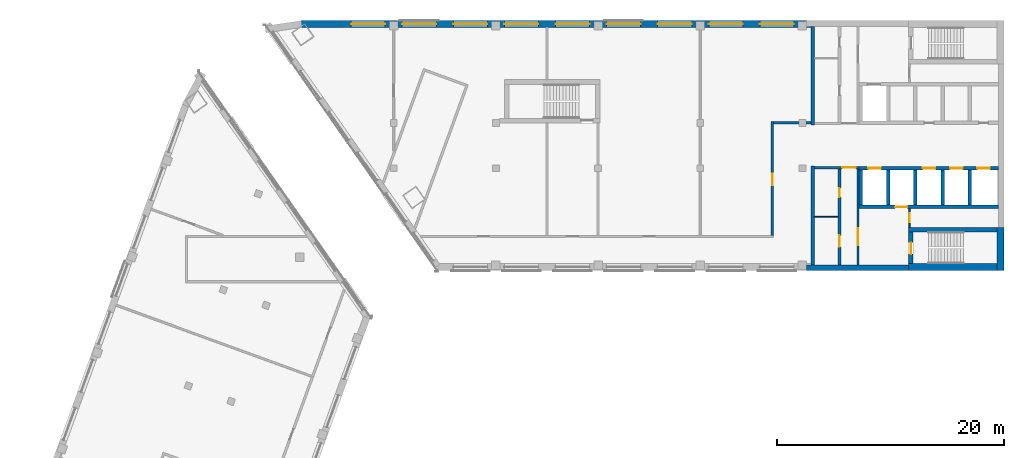
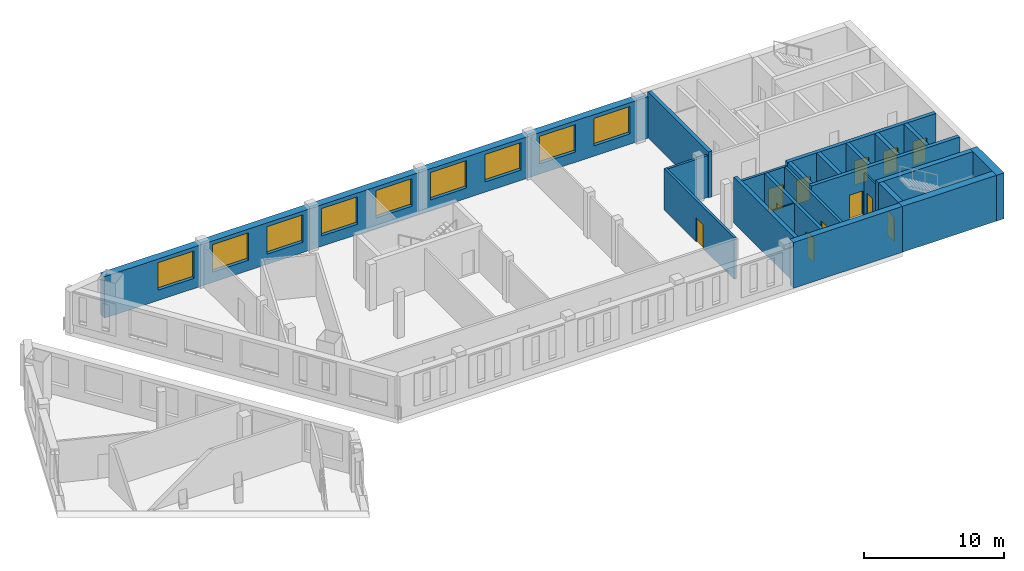
# One storey, part 5 of 8: 22 walls, 12 doors, 9 windows, 21 openings.
"""IFC4 building model written with IfcOpenShell, lengths in metres."""

from ifc_helpers import new_model, si_unit, direction, frame, frame_2d, origin, place, context, subcontext, project, spatial, rectangle, extrude, material, layer, layer_set, type_object, element, fill, save


model = new_model("IFC4")

# Units and contexts
model_context = context("Model", 3, precision=1e-05, world=origin(), true_north=direction((0.0, 1.0)))
body_context = subcontext(model_context, "Body", "Model", "MODEL_VIEW")
ifc_project = project(units=[si_unit("LENGTHUNIT", "METRE"), si_unit("AREAUNIT", "SQUARE_METRE"), si_unit("VOLUMEUNIT", "CUBIC_METRE"), si_unit("PLANEANGLEUNIT", "RADIAN"), si_unit("MASSUNIT", "GRAM", prefix="KILO")], contexts=[model_context])

# Site, building, storey
site_placement = place(None, origin())
site = spatial("IfcSite", under=ifc_project, at=site_placement, CompositionType="ELEMENT")
building_placement = place(site_placement, origin())
building = spatial("IfcBuilding", under=site, at=building_placement, Name="Skarvind Civic Tower", CompositionType="ELEMENT")
storey_placement = place(building_placement, frame((0.0, 0.0, 216.0)))
storey = spatial("IfcBuildingStorey", under=building, at=storey_placement, Name="L51", CompositionType="ELEMENT", Elevation=216.0)

# Wall, opening, door
ifc_material_1 = material(Name="Fire-rated masonry partition", Category="masonry")
ifc_layer_1 = layer(ifc_material_1, 0.199951171875)
ifc_layer_set_1 = layer_set([ifc_layer_1], Name="Core enclosure wall 200")
wall_type_1 = type_object("IfcWallType", Name="Core enclosure wall 200", PredefinedType="PARTITIONING", material=ifc_layer_set_1)
wall_1_placement = place(storey_placement, frame((95.25, 126.050048828125, 0.0), z_axis=(0.0, 0.0, 1.0), x_axis=(-1.0, 0.0, 0.0)))
wall_1 = element("IfcWall", 1, at=wall_1_placement, inside=storey, type_object=wall_type_1, Name="Core wall C1", PredefinedType="PARTITIONING", context=body_context, shape_type="SweptSolid", body=[
    extrude(rectangle(XDim=3.949951171875, YDim=0.199951171875, at=frame_2d((1.97509765625, 0.0))), origin(), (0.0, 0.0, 1.0), 3.625),
])
opening_1_placement = place(wall_1_placement, frame((0.300048828125, 0.0, 0.0)))
opening_1 = element("IfcOpeningElement", 2, at=opening_1_placement, cuts=wall_1, Name="Opening D-L51-C1-07", PredefinedType="OPENING", context=body_context, shape_type="SweptSolid", body=[
    extrude(rectangle(XDim=1.199951171875, YDim=2.10009765625, at=frame_2d((0.60009765625, 1.050048828125))), frame((0.0, 0.10986328125, 0.0), z_axis=(0.0, -1.0, 0.0), x_axis=(1.0, 0.0, 0.0)), (0.0, 0.0, 1.0), 0.219970703125),
])
ifc_material_2 = material(Name="Fire-rated steel door", Category="steel")
door_type_1 = type_object("IfcDoorType", Name="Core lobby door 1200", OperationType="NOTDEFINED", PredefinedType="DOOR", material=ifc_material_2)
door_1_placement = place(opening_1_placement, origin())
door_1 = element("IfcDoor", 3, at=door_1_placement, inside=storey, type_object=door_type_1, Name="Fire door", OperationType="DOUBLE_DOOR_SINGLE_SWING", OverallHeight=2.10009765625, OverallWidth=1.199951171875, PredefinedType="DOOR", context=body_context, shape_type="SweptSolid", body=[
    extrude(rectangle(XDim=1.199951171875, YDim=2.10009765625, at=frame_2d((0.60009765625, 1.050048828125))), frame((0.0, 0.02490234375, 0.0), z_axis=(0.0, -1.0, 0.0), x_axis=(1.0, 0.0, 0.0)), (0.0, 0.0, 1.0), 0.050048828125),
])
fill(opening_1, door_1)

wall_2_placement = place(storey_placement, frame((95.14990234375, 117.5, 0.0), z_axis=(0.0, 0.0, 1.0), x_axis=(0.0, 1.0, 0.0)))
wall_2 = element("IfcWall", 4, at=wall_2_placement, inside=storey, type_object=wall_type_1, Name="Core wall C1", PredefinedType="PARTITIONING", context=body_context, shape_type="SweptSolid", body=[
    extrude(rectangle(XDim=8.449951171875, YDim=0.199951171875, at=frame_2d((4.22509765625, 0.0))), origin(), (0.0, 0.0, 1.0), 3.625),
])
opening_2_placement = place(wall_2_placement, frame((1.72509765625, 0.0, 0.0)))
opening_2 = element("IfcOpeningElement", 5, at=opening_2_placement, cuts=wall_2, Name="Opening D-L51-C1-08", PredefinedType="OPENING", context=body_context, shape_type="SweptSolid", body=[
    extrude(rectangle(XDim=1.5, YDim=2.10009765625, at=frame_2d((0.75, 1.050048828125))), frame((0.0, 0.10986328125, 0.0), z_axis=(0.0, -1.0, 0.0), x_axis=(1.0, 0.0, 0.0)), (0.0, 0.0, 1.0), 0.219970703125),
])
door_type_2 = type_object("IfcDoorType", Name="Fire door 1500", OperationType="NOTDEFINED", PredefinedType="DOOR", material=ifc_material_2)
door_2_placement = place(opening_2_placement, origin())
door_2 = element("IfcDoor", 6, at=door_2_placement, inside=storey, type_object=door_type_2, Name="Fire door", OperationType="DOUBLE_DOOR_SINGLE_SWING", OverallHeight=2.10009765625, OverallWidth=1.5, PredefinedType="DOOR", context=body_context, shape_type="SweptSolid", body=[
    extrude(rectangle(XDim=1.5, YDim=2.10009765625, at=frame_2d((0.75, 1.050048828125))), frame((0.0, 0.02490234375, 0.0), z_axis=(0.0, -1.0, 0.0), x_axis=(1.0, 0.0, 0.0)), (0.0, 0.0, 1.0), 0.050048828125),
])
fill(opening_2, door_2)

# Wall
ifc_material_3 = material(Name="Fire-rated plasterboard partition")
ifc_layer_2 = layer(ifc_material_3, 0.10009765625)
ifc_layer_set_2 = layer_set([ifc_layer_2], Name="Core partition wall 100")
wall_type_2 = type_object("IfcWallType", Name="Core partition wall 100", PredefinedType="PARTITIONING", material=ifc_layer_set_2)
wall_3_placement = place(storey_placement, frame((93.39990234375, 121.719970703125, 0.0), z_axis=(0.0, 0.0, 1.0), x_axis=(-1.0, 0.0, 0.0)))
element("IfcWall", 7, at=wall_3_placement, inside=storey, type_object=wall_type_2, Name="Core wall C1", PredefinedType="PARTITIONING", context=body_context, shape_type="SweptSolid", body=[
    extrude(rectangle(XDim=2.099853515625, YDim=0.10009765625, at=frame_2d((1.0498046875, 0.0))), origin(), (0.0, 0.0, 1.0), 3.625),
])

# Wall, openings, doors
ifc_material_4 = material(Name="Concrete C60", Category="concrete")
ifc_layer_3 = layer(ifc_material_4, 0.300048828125)
ifc_layer_set_3 = layer_set([ifc_layer_3], Name="Core wall 300 C60")
wall_type_3 = type_object("IfcWallType", Name="Core wall 300 C60", PredefinedType="SHEAR", material=ifc_layer_set_3)
wall_4_placement = place(storey_placement, frame((107.5, 126.0, 0.0), z_axis=(0.0, 0.0, 1.0), x_axis=(-1.0, 0.0, 0.0)))
wall_4 = element("IfcWall", 8, at=wall_4_placement, inside=storey, type_object=wall_type_3, Name="Core wall C1 north lift row front L51", PredefinedType="SHEAR", context=body_context, shape_type="SweptSolid", body=[
    extrude(rectangle(XDim=12.25, YDim=0.300048828125, at=frame_2d((6.125, 0.0))), origin(), (0.0, 0.0, 1.0), 4.0),
])
opening_3_placement = place(wall_4_placement, frame((0.75, 0.0, 0.0)))
opening_3 = element("IfcOpeningElement", 9, at=opening_3_placement, cuts=wall_4, Name="Opening LD53101", PredefinedType="OPENING", context=body_context, shape_type="SweptSolid", body=[
    extrude(rectangle(XDim=1.10009765625, YDim=2.10009765625, at=frame_2d((0.550048828125, 1.050048828125))), frame((0.0, 0.159912109375, 0.0), z_axis=(0.0, -1.0, 0.0), x_axis=(1.0, 0.0, 0.0)), (0.0, 0.0, 1.0), 0.320068359375),
])
opening_4_placement = place(wall_4_placement, frame((3.14990234375, 0.0, 0.0)))
opening_4 = element("IfcOpeningElement", 10, at=opening_4_placement, cuts=wall_4, Name="Opening LD53102", PredefinedType="OPENING", context=body_context, shape_type="SweptSolid", body=[
    extrude(rectangle(XDim=1.10009765625, YDim=2.10009765625, at=frame_2d((0.550048828125, 1.050048828125))), frame((0.0, 0.159912109375, 0.0), z_axis=(0.0, -1.0, 0.0), x_axis=(1.0, 0.0, 0.0)), (0.0, 0.0, 1.0), 0.320068359375),
])
opening_5_placement = place(wall_4_placement, frame((5.550048828125, 0.0, 0.0)))
opening_5 = element("IfcOpeningElement", 11, at=opening_5_placement, cuts=wall_4, Name="Opening LD53103", PredefinedType="OPENING", context=body_context, shape_type="SweptSolid", body=[
    extrude(rectangle(XDim=1.10009765625, YDim=2.10009765625, at=frame_2d((0.550048828125, 1.050048828125))), frame((0.0, 0.159912109375, 0.0), z_axis=(0.0, -1.0, 0.0), x_axis=(1.0, 0.0, 0.0)), (0.0, 0.0, 1.0), 0.320068359375),
])
opening_6_placement = place(wall_4_placement, frame((10.35009765625, 0.0, 0.0)))
opening_6 = element("IfcOpeningElement", 12, at=opening_6_placement, cuts=wall_4, Name="Opening LD53105", PredefinedType="OPENING", context=body_context, shape_type="SweptSolid", body=[
    extrude(rectangle(XDim=1.10009765625, YDim=2.10009765625, at=frame_2d((0.550048828125, 1.050048828125))), frame((0.0, 0.159912109375, 0.0), z_axis=(0.0, -1.0, 0.0), x_axis=(1.0, 0.0, 0.0)), (0.0, 0.0, 1.0), 0.320068359375),
])
ifc_material_5 = material(Name="Stainless steel landing door", Category="steel")
door_type_3 = type_object("IfcDoorType", Name="Lift landing door 1100", OperationType="DOUBLE_DOOR_SLIDING", PredefinedType="DOOR", material=ifc_material_5)
door_3_placement = place(opening_3_placement, origin())
door_3 = element("IfcDoor", 13, at=door_3_placement, inside=storey, type_object=door_type_3, Name="Lift landing door", OperationType="DOUBLE_DOOR_SLIDING", OverallHeight=2.10009765625, OverallWidth=1.10009765625, PredefinedType="DOOR", context=body_context, shape_type="SweptSolid", body=[
    extrude(rectangle(XDim=1.10009765625, YDim=2.10009765625, at=frame_2d((0.550048828125, 1.050048828125))), frame((0.0, 0.02490234375, 0.0), z_axis=(0.0, -1.0, 0.0), x_axis=(1.0, 0.0, 0.0)), (0.0, 0.0, 1.0), 0.050048828125),
])
fill(opening_3, door_3)
door_4_placement = place(opening_4_placement, origin())
door_4 = element("IfcDoor", 14, at=door_4_placement, inside=storey, type_object=door_type_3, Name="Lift landing door", OperationType="DOUBLE_DOOR_SLIDING", OverallHeight=2.10009765625, OverallWidth=1.10009765625, PredefinedType="DOOR", context=body_context, shape_type="SweptSolid", body=[
    extrude(rectangle(XDim=1.10009765625, YDim=2.10009765625, at=frame_2d((0.550048828125, 1.050048828125))), frame((0.0, 0.02490234375, 0.0), z_axis=(0.0, -1.0, 0.0), x_axis=(1.0, 0.0, 0.0)), (0.0, 0.0, 1.0), 0.050048828125),
])
fill(opening_4, door_4)
door_5_placement = place(opening_5_placement, origin())
door_5 = element("IfcDoor", 15, at=door_5_placement, inside=storey, type_object=door_type_3, Name="Lift landing door", OperationType="DOUBLE_DOOR_SLIDING", OverallHeight=2.10009765625, OverallWidth=1.10009765625, PredefinedType="DOOR", context=body_context, shape_type="SweptSolid", body=[
    extrude(rectangle(XDim=1.10009765625, YDim=2.10009765625, at=frame_2d((0.550048828125, 1.050048828125))), frame((0.0, 0.02490234375, 0.0), z_axis=(0.0, -1.0, 0.0), x_axis=(1.0, 0.0, 0.0)), (0.0, 0.0, 1.0), 0.050048828125),
])
fill(opening_5, door_5)
door_6_placement = place(opening_6_placement, origin())
door_6 = element("IfcDoor", 16, at=door_6_placement, inside=storey, type_object=door_type_3, Name="Lift landing door", OperationType="DOUBLE_DOOR_SLIDING", OverallHeight=2.10009765625, OverallWidth=1.10009765625, PredefinedType="DOOR", context=body_context, shape_type="SweptSolid", body=[
    extrude(rectangle(XDim=1.10009765625, YDim=2.10009765625, at=frame_2d((0.550048828125, 1.050048828125))), frame((0.0, 0.02490234375, 0.0), z_axis=(0.0, -1.0, 0.0), x_axis=(1.0, 0.0, 0.0)), (0.0, 0.0, 1.0), 0.050048828125),
])
fill(opening_6, door_6)

# Wall, opening, door
wall_5_placement = place(storey_placement, frame((107.5, 122.60009765625, 0.0), z_axis=(0.0, 0.0, 1.0), x_axis=(-1.0, 0.0, 0.0)))
wall_5 = element("IfcWall", 17, at=wall_5_placement, inside=storey, type_object=wall_type_3, Name="Core wall C1 north lift row back L51", PredefinedType="SHEAR", context=body_context, shape_type="SweptSolid", body=[
    extrude(rectangle(XDim=12.25, YDim=0.300048828125, at=frame_2d((6.125, 0.0))), origin(), (0.0, 0.0, 1.0), 4.0),
])
opening_7_placement = place(wall_5_placement, frame((8.0, 0.0, 0.0)))
opening_7 = element("IfcOpeningElement", 18, at=opening_7_placement, cuts=wall_5, Name="Opening LD53104", PredefinedType="OPENING", context=body_context, shape_type="SweptSolid", body=[
    extrude(rectangle(XDim=1.10009765625, YDim=2.10009765625, at=frame_2d((0.550048828125, 1.050048828125))), frame((0.0, 0.159912109375, 0.0), z_axis=(0.0, -1.0, 0.0), x_axis=(1.0, 0.0, 0.0)), (0.0, 0.0, 1.0), 0.320068359375),
])
door_7_placement = place(opening_7_placement, origin())
door_7 = element("IfcDoor", 19, at=door_7_placement, inside=storey, type_object=door_type_3, Name="Lift landing door", OperationType="DOUBLE_DOOR_SLIDING", OverallHeight=2.10009765625, OverallWidth=1.10009765625, PredefinedType="DOOR", context=body_context, shape_type="SweptSolid", body=[
    extrude(rectangle(XDim=1.10009765625, YDim=2.10009765625, at=frame_2d((0.550048828125, 1.050048828125))), frame((0.0, 0.02490234375, 0.0), z_axis=(0.0, -1.0, 0.0), x_axis=(1.0, 0.0, 0.0)), (0.0, 0.0, 1.0), 0.050048828125),
])
fill(opening_7, door_7)

# Walls
for number, where, z_axis, x_axis, name in (
    (20, (105.0, 125.85009765625, 0.0), (0.0, 0.0, 1.0), (0.0, -1.0, 0.0), "Core wall C1 north lift row division 1 L51"),
    (21, (102.60009765625, 125.85009765625, 0.0), (0.0, 0.0, 1.0), (0.0, -1.0, 0.0), "Core wall C1 north lift row division 2 L51"),
    (22, (100.199951171875, 125.85009765625, 0.0), (0.0, 0.0, 1.0), (0.0, -1.0, 0.0), "Core wall C1 north lift row division 3 L51"),
    (23, (97.800048828125, 125.85009765625, 0.0), (0.0, 0.0, 1.0), (0.0, -1.0, 0.0), "Core wall C1 north lift row division 4 L51"),
    (24, (95.39990234375, 125.85009765625, 0.0), (0.0, 0.0, 1.0), (0.0, -1.0, 0.0), "Core wall C1 north lift row division 5 L51"),
):
    element("IfcWall", number, at=place(storey_placement, frame(where, z_axis=z_axis, x_axis=x_axis)), inside=storey, type_object=wall_type_3, Name=name, PredefinedType="SHEAR", context=body_context, shape_type="SweptSolid", body=[
        extrude(rectangle(XDim=3.10009765625, YDim=0.300048828125, at=frame_2d((1.550048828125, 0.0))), origin(), (0.0, 0.0, 1.0), 4.0),
    ])
for number, where, z_axis, x_axis, name in (
    (25, (91.14990234375, 138.5, 0.0), (0.0, 0.0, 1.0), (0.0, -1.0, 0.0), "Core wall C1 south inner face L51"),
    (26, (91.14990234375, 126.199951171875, 0.0), (0.0, 0.0, 1.0), (0.0, -1.0, 0.0), "Core wall C1 north inner face L51"),
):
    element("IfcWall", number, at=place(storey_placement, frame(where, z_axis=z_axis, x_axis=x_axis)), inside=storey, type_object=wall_type_3, Name=name, PredefinedType="SHEAR", context=body_context, shape_type="SweptSolid", body=[
        extrude(rectangle(XDim=8.699951171875, YDim=0.300048828125, at=frame_2d((4.35009765625, 0.0))), origin(), (0.0, 0.0, 1.0), 4.0),
    ])
ifc_layer_4 = layer(ifc_material_4, 0.39990234375)
ifc_layer_set_4 = layer_set([ifc_layer_4], Name="Core wall 400 C60")
wall_type_4 = type_object("IfcWallType", Name="Core wall 400 C60", PredefinedType="SHEAR", material=ifc_layer_set_4)
wall_6_placement = place(storey_placement, frame((107.39990234375, 120.60009765625, 0.0), z_axis=(0.0, 0.0, 1.0), x_axis=(-1.0, 0.0, 0.0)))
element("IfcWall", 27, at=wall_6_placement, inside=storey, type_object=wall_type_4, Name="Core wall C1 north stair inner L51", PredefinedType="SHEAR", context=body_context, shape_type="SweptSolid", body=[
    extrude(rectangle(XDim=7.7998046875, YDim=0.39990234375, at=frame_2d((3.89990234375, 0.0))), origin(), (0.0, 0.0, 1.0), 4.0),
])

# Wall, opening, door
wall_7_placement = place(storey_placement, frame((99.800048828125, 120.39990234375, 0.0), z_axis=(0.0, 0.0, 1.0), x_axis=(0.0, -1.0, 0.0)))
wall_7 = element("IfcWall", 28, at=wall_7_placement, inside=storey, type_object=wall_type_4, Name="Core wall C1 north stair end L51", PredefinedType="SHEAR", context=body_context, shape_type="SweptSolid", body=[
    extrude(rectangle(XDim=2.7998046875, YDim=0.39990234375, at=frame_2d((1.39990234375, 0.0))), origin(), (0.0, 0.0, 1.0), 4.0),
])
opening_8_placement = place(wall_7_placement, frame((0.949951171875, 0.0, 0.0)))
opening_8 = element("IfcOpeningElement", 29, at=opening_8_placement, cuts=wall_7, Name="Opening D-L51-C1-09", PredefinedType="OPENING", context=body_context, shape_type="SweptSolid", body=[
    extrude(rectangle(XDim=1.0, YDim=2.10009765625, at=frame_2d((0.5, 1.050048828125))), frame((0.0, 0.2099609375, 0.0), z_axis=(0.0, -1.0, 0.0), x_axis=(1.0, 0.0, 0.0)), (0.0, 0.0, 1.0), 0.419921875),
])
door_type_4 = type_object("IfcDoorType", Name="Fire door 1000", OperationType="NOTDEFINED", PredefinedType="DOOR", material=ifc_material_2)
door_8_placement = place(opening_8_placement, origin())
door_8 = element("IfcDoor", 30, at=door_8_placement, inside=storey, type_object=door_type_4, Name="Fire door", OperationType="SINGLE_SWING_LEFT", OverallHeight=2.10009765625, OverallWidth=1.0, PredefinedType="DOOR", context=body_context, shape_type="SweptSolid", body=[
    extrude(rectangle(XDim=1.0, YDim=2.10009765625, at=frame_2d((0.5, 1.050048828125))), frame((0.0, 0.02490234375, 0.0), z_axis=(0.0, -1.0, 0.0), x_axis=(1.0, 0.0, 0.0)), (0.0, 0.0, 1.0), 0.050048828125),
])
fill(opening_8, door_8)

# Walls
ifc_layer_5 = layer(ifc_material_4, 0.5)
ifc_layer_set_5 = layer_set([ifc_layer_5], Name="Core wall 500 C60")
wall_type_5 = type_object("IfcWallType", Name="Core wall 500 C60", PredefinedType="SHEAR", material=ifc_layer_set_5)
wall_8_placement = place(storey_placement, frame((99.60009765625, 117.25, 0.0), z_axis=(0.0, 0.0, 1.0), x_axis=(-1.0, 0.0, 0.0)))
element("IfcWall", 31, at=wall_8_placement, inside=storey, type_object=wall_type_5, Name="Core wall C1 north side L51", PredefinedType="SHEAR", context=body_context, shape_type="SweptSolid", body=[
    extrude(rectangle(XDim=8.97509765625, YDim=0.5, at=frame_2d((4.487548828125, 0.0))), origin(), (0.0, 0.0, 1.0), 4.0),
])
ifc_layer_6 = layer(ifc_material_4, 0.60009765625)
ifc_layer_set_6 = layer_set([ifc_layer_6], Name="Core wall 600 C60")
wall_type_6 = type_object("IfcWallType", Name="Core wall 600 C60", PredefinedType="SHEAR", material=ifc_layer_set_6)
wall_9_placement = place(storey_placement, frame((107.699951171875, 120.800048828125, 0.0), z_axis=(0.0, 0.0, 1.0), x_axis=(0.0, -1.0, 0.0)))
element("IfcWall", 32, at=wall_9_placement, inside=storey, type_object=wall_type_6, Name="Core wall C1 tip at the north stair L51", PredefinedType="SHEAR", context=body_context, shape_type="SweptSolid", body=[
    extrude(rectangle(XDim=3.800048828125, YDim=0.60009765625, at=frame_2d((1.89990234375, 0.0))), origin(), (0.0, 0.0, 1.0), 4.0),
])
wall_10_placement = place(storey_placement, frame((107.39990234375, 117.300048828125, 0.0), z_axis=(0.0, 0.0, 1.0), x_axis=(-1.0, 0.0, 0.0)))
element("IfcWall", 33, at=wall_10_placement, inside=storey, type_object=wall_type_6, Name="Core wall C1 north side at the stair L51", PredefinedType="SHEAR", context=body_context, shape_type="SweptSolid", body=[
    extrude(rectangle(XDim=7.7998046875, YDim=0.60009765625, at=frame_2d((3.89990234375, 0.0))), origin(), (0.0, 0.0, 1.0), 4.0),
])

# Wall, opening, door
ifc_material_6 = material(Name="Fire-rated blockwork wall, plastered", Category="masonry")
ifc_layer_7 = layer(ifc_material_6, 0.199951171875)
ifc_layer_set_7 = layer_set([ifc_layer_7], Name="FIRE WALL 200 EI 60")
wall_type_7 = type_object("IfcWallType", Name="FIRE WALL 200 EI 60", PredefinedType="PARTITIONING", material=ifc_layer_set_7)
wall_11_placement = place(storey_placement, frame((87.60009765625, 120.10009765625, 0.0), z_axis=(0.0, 0.0, 1.0), x_axis=(0.0, 1.0, 0.0)))
wall_11 = element("IfcWall", 34, at=wall_11_placement, inside=storey, type_object=wall_type_7, Name="Portal partition L51 019", PredefinedType="PARTITIONING", context=body_context, shape_type="SweptSolid", body=[
    extrude(rectangle(XDim=10.0, YDim=0.199951171875, at=frame_2d((5.0, 0.0))), origin(), (0.0, 0.0, 1.0), 3.625),
])
opening_9_placement = place(wall_11_placement, frame((4.39990234375, 0.0, 0.0)))
opening_9 = element("IfcOpeningElement", 35, at=opening_9_placement, cuts=wall_11, Name="Opening L51-D208", PredefinedType="OPENING", context=body_context, shape_type="SweptSolid", body=[
    extrude(rectangle(XDim=1.0, YDim=2.10009765625, at=frame_2d((0.5, 1.050048828125))), frame((0.0, 0.10986328125, 0.0), z_axis=(0.0, -1.0, 0.0), x_axis=(1.0, 0.0, 0.0)), (0.0, 0.0, 1.0), 0.219970703125),
])
ifc_material_7 = material(Name="Painted steel fire door leaf", Category="steel")
door_type_5 = type_object("IfcDoorType", Name="FIRE DOOR 1000X2100 STEEL", OperationType="NOTDEFINED", PredefinedType="DOOR", material=ifc_material_7)
door_9_placement = place(opening_9_placement, origin())
door_9 = element("IfcDoor", 36, at=door_9_placement, inside=storey, type_object=door_type_5, Name="FIRE DOOR", OperationType="SINGLE_SWING_LEFT", OverallHeight=2.10009765625, OverallWidth=1.0, PredefinedType="DOOR", context=body_context, shape_type="SweptSolid", body=[
    extrude(rectangle(XDim=1.0, YDim=2.10009765625, at=frame_2d((0.5, 1.050048828125))), frame((0.0, 0.02490234375, 0.0), z_axis=(0.0, -1.0, 0.0), x_axis=(1.0, 0.0, 0.0)), (0.0, 0.0, 1.0), 0.050048828125),
])
fill(opening_9, door_9)

# Wall
wall_12_placement = place(storey_placement, frame((87.699951171875, 130.0, 0.0), z_axis=(0.0, 0.0, 1.0), x_axis=(1.0, 0.0, 0.0)))
element("IfcWall", 37, at=wall_12_placement, inside=storey, type_object=wall_type_7, Name="Portal partition L51 020", PredefinedType="PARTITIONING", context=body_context, shape_type="SweptSolid", body=[
    extrude(rectangle(XDim=3.300048828125, YDim=0.199951171875, at=frame_2d((1.64990234375, 0.0))), origin(), (0.0, 0.0, 1.0), 3.625),
])

# Wall, opening, door
ifc_layer_8 = layer(ifc_material_1, 0.125)
ifc_layer_set_8 = layer_set([ifc_layer_8], Name="Riser wall 125")
wall_type_8 = type_object("IfcWallType", Name="Riser wall 125", PredefinedType="PARTITIONING", material=ifc_layer_set_8)
wall_13_placement = place(storey_placement, frame((99.66259765625, 120.800048828125, 0.0), z_axis=(0.0, 0.0, 1.0), x_axis=(0.0, 1.0, 0.0)))
wall_13 = element("IfcWall", 38, at=wall_13_placement, inside=storey, type_object=wall_type_8, Name="Core wall C1", PredefinedType="PARTITIONING", context=body_context, shape_type="SweptSolid", body=[
    extrude(rectangle(XDim=1.64990234375, YDim=0.125, at=frame_2d((0.824951171875, 0.0))), origin(), (0.0, 0.0, 1.0), 3.625),
])
opening_10_placement = place(wall_13_placement, frame((0.425048828125, 0.0, 0.0)))
opening_10 = element("IfcOpeningElement", 39, at=opening_10_placement, cuts=wall_13, Name="Opening D-L51-C1-10", PredefinedType="OPENING", context=body_context, shape_type="SweptSolid", body=[
    extrude(rectangle(XDim=0.800048828125, YDim=2.10009765625, at=frame_2d((0.39990234375, 1.050048828125))), frame((0.0, 0.072509765625, 0.0), z_axis=(0.0, -1.0, 0.0), x_axis=(1.0, 0.0, 0.0)), (0.0, 0.0, 1.0), 0.14501953125),
])
door_type_6 = type_object("IfcDoorType", Name="Core riser door 800", OperationType="NOTDEFINED", PredefinedType="DOOR", material=ifc_material_2)
door_10_placement = place(opening_10_placement, origin())
door_10 = element("IfcDoor", 40, at=door_10_placement, inside=storey, type_object=door_type_6, Name="Riser door", OperationType="SINGLE_SWING_RIGHT", OverallHeight=2.10009765625, OverallWidth=0.800048828125, PredefinedType="DOOR", context=body_context, shape_type="SweptSolid", body=[
    extrude(rectangle(XDim=0.800048828125, YDim=2.10009765625, at=frame_2d((0.39990234375, 1.050048828125))), frame((0.0, 0.02490234375, 0.0), z_axis=(0.0, -1.0, 0.0), x_axis=(1.0, 0.0, 0.0)), (0.0, 0.0, 1.0), 0.050048828125),
])
fill(opening_10, door_10)

# Wall, openings, doors
ifc_layer_9 = layer(ifc_material_1, 0.25)
ifc_layer_set_9 = layer_set([ifc_layer_9], Name="Service block wall 250")
wall_type_9 = type_object("IfcWallType", Name="Service block wall 250", PredefinedType="PARTITIONING", material=ifc_layer_set_9)
wall_14_placement = place(storey_placement, frame((93.52490234375, 117.5, 0.0), z_axis=(0.0, 0.0, 1.0), x_axis=(0.0, 1.0, 0.0)))
wall_14 = element("IfcWall", 41, at=wall_14_placement, inside=storey, type_object=wall_type_9, Name="Core wall C1", PredefinedType="PARTITIONING", context=body_context, shape_type="SweptSolid", body=[
    extrude(rectangle(XDim=8.449951171875, YDim=0.25, at=frame_2d((4.22509765625, 0.0))), origin(), (0.0, 0.0, 1.0), 3.625),
])
opening_11_placement = place(wall_14_placement, frame((5.9599609375, 0.0, 0.0)))
opening_11 = element("IfcOpeningElement", 42, at=opening_11_placement, cuts=wall_14, Name="Opening D-L51-C1-11", PredefinedType="OPENING", context=body_context, shape_type="SweptSolid", body=[
    extrude(rectangle(XDim=0.800048828125, YDim=2.10009765625, at=frame_2d((0.39990234375, 1.050048828125))), frame((0.0, 0.135009765625, 0.0), z_axis=(0.0, -1.0, 0.0), x_axis=(1.0, 0.0, 0.0)), (0.0, 0.0, 1.0), 0.27001953125),
])
opening_12_placement = place(wall_14_placement, frame((1.5849609375, 0.0, 0.0)))
opening_12 = element("IfcOpeningElement", 43, at=opening_12_placement, cuts=wall_14, Name="Opening D-L51-C1-12", PredefinedType="OPENING", context=body_context, shape_type="SweptSolid", body=[
    extrude(rectangle(XDim=1.0, YDim=2.10009765625, at=frame_2d((0.5, 1.050048828125))), frame((0.0, 0.135009765625, 0.0), z_axis=(0.0, -1.0, 0.0), x_axis=(1.0, 0.0, 0.0)), (0.0, 0.0, 1.0), 0.27001953125),
])
door_11_placement = place(opening_11_placement, origin())
door_11 = element("IfcDoor", 44, at=door_11_placement, inside=storey, type_object=door_type_6, Name="Riser door", OperationType="SINGLE_SWING_LEFT", OverallHeight=2.10009765625, OverallWidth=0.800048828125, PredefinedType="DOOR", context=body_context, shape_type="SweptSolid", body=[
    extrude(rectangle(XDim=0.800048828125, YDim=2.10009765625, at=frame_2d((0.39990234375, 1.050048828125))), frame((0.0, 0.02490234375, 0.0), z_axis=(0.0, -1.0, 0.0), x_axis=(1.0, 0.0, 0.0)), (0.0, 0.0, 1.0), 0.050048828125),
])
fill(opening_11, door_11)
door_12_placement = place(opening_12_placement, origin())
door_12 = element("IfcDoor", 45, at=door_12_placement, inside=storey, type_object=door_type_4, Name="Fire door", OperationType="SINGLE_SWING_RIGHT", OverallHeight=2.10009765625, OverallWidth=1.0, PredefinedType="DOOR", context=body_context, shape_type="SweptSolid", body=[
    extrude(rectangle(XDim=1.0, YDim=2.10009765625, at=frame_2d((0.5, 1.050048828125))), frame((0.0, 0.02490234375, 0.0), z_axis=(0.0, -1.0, 0.0), x_axis=(1.0, 0.0, 0.0)), (0.0, 0.0, 1.0), 0.050048828125),
])
fill(opening_12, door_12)

# Wall, openings, windows
ifc_material_8 = material(Name="Limestone masonry cladding on insulated backing", Category="masonry")
ifc_layer_10 = layer(ifc_material_8, 0.60009765625)
ifc_layer_set_10 = layer_set([ifc_layer_10], Name="WX1 STONE FACADE WALL 600")
wall_type_10 = type_object("IfcWallType", Name="WX1 STONE FACADE WALL 600", PredefinedType="SOLIDWALL", material=ifc_layer_set_10)
wall_15_placement = place(storey_placement, frame((46.095458984375, 138.699951171875, 0.0), z_axis=(0.0, 0.0, 1.0), x_axis=(1.0, 0.0, 0.0)))
wall_15 = element("IfcWall", 46, at=wall_15_placement, inside=storey, type_object=wall_type_10, Name="STONE FACADE WALL", PredefinedType="SOLIDWALL", context=body_context, shape_type="SweptSolid", body=[
    extrude(rectangle(XDim=44.884521484375, YDim=0.60009765625, at=frame_2d((22.4423828125, 0.0))), origin(), (0.0, 0.0, 1.0), 3.625),
])
opening_13_placement = place(wall_15_placement, frame((4.404541015625, 0.0, 0.89990234375)))
opening_13 = element("IfcOpeningElement", 47, at=opening_13_placement, cuts=wall_15, Name="Opening WN1", PredefinedType="OPENING", context=body_context, shape_type="SweptSolid", body=[
    extrude(rectangle(XDim=3.0, YDim=2.39990234375, at=frame_2d((1.5, 1.199951171875))), frame((0.0, 0.31005859375, 0.0), z_axis=(0.0, -1.0, 0.0), x_axis=(1.0, 0.0, 0.0)), (0.0, 0.0, 1.0), 0.6201171875),
])
opening_14_placement = place(wall_15_placement, frame((8.904541015625, 0.0, 0.89990234375)))
opening_14 = element("IfcOpeningElement", 48, at=opening_14_placement, cuts=wall_15, Name="Opening WN1", PredefinedType="OPENING", context=body_context, shape_type="SweptSolid", body=[
    extrude(rectangle(XDim=3.0, YDim=2.39990234375, at=frame_2d((1.5, 1.199951171875))), frame((0.0, 0.31005859375, 0.0), z_axis=(0.0, -1.0, 0.0), x_axis=(1.0, 0.0, 0.0)), (0.0, 0.0, 1.0), 0.6201171875),
])
opening_15_placement = place(wall_15_placement, frame((13.404541015625, 0.0, 0.89990234375)))
opening_15 = element("IfcOpeningElement", 49, at=opening_15_placement, cuts=wall_15, Name="Opening WN1", PredefinedType="OPENING", context=body_context, shape_type="SweptSolid", body=[
    extrude(rectangle(XDim=3.0, YDim=2.39990234375, at=frame_2d((1.5, 1.199951171875))), frame((0.0, 0.31005859375, 0.0), z_axis=(0.0, -1.0, 0.0), x_axis=(1.0, 0.0, 0.0)), (0.0, 0.0, 1.0), 0.6201171875),
])
opening_16_placement = place(wall_15_placement, frame((17.904541015625, 0.0, 0.89990234375)))
opening_16 = element("IfcOpeningElement", 50, at=opening_16_placement, cuts=wall_15, Name="Opening WN1", PredefinedType="OPENING", context=body_context, shape_type="SweptSolid", body=[
    extrude(rectangle(XDim=3.0, YDim=2.39990234375, at=frame_2d((1.5, 1.199951171875))), frame((0.0, 0.31005859375, 0.0), z_axis=(0.0, -1.0, 0.0), x_axis=(1.0, 0.0, 0.0)), (0.0, 0.0, 1.0), 0.6201171875),
])
opening_17_placement = place(wall_15_placement, frame((22.404541015625, 0.0, 0.89990234375)))
opening_17 = element("IfcOpeningElement", 51, at=opening_17_placement, cuts=wall_15, Name="Opening WN1", PredefinedType="OPENING", context=body_context, shape_type="SweptSolid", body=[
    extrude(rectangle(XDim=3.0, YDim=2.39990234375, at=frame_2d((1.5, 1.199951171875))), frame((0.0, 0.31005859375, 0.0), z_axis=(0.0, -1.0, 0.0), x_axis=(1.0, 0.0, 0.0)), (0.0, 0.0, 1.0), 0.6201171875),
])
opening_18_placement = place(wall_15_placement, frame((26.904541015625, 0.0, 0.89990234375)))
opening_18 = element("IfcOpeningElement", 52, at=opening_18_placement, cuts=wall_15, Name="Opening WN1", PredefinedType="OPENING", context=body_context, shape_type="SweptSolid", body=[
    extrude(rectangle(XDim=3.0, YDim=2.39990234375, at=frame_2d((1.5, 1.199951171875))), frame((0.0, 0.31005859375, 0.0), z_axis=(0.0, -1.0, 0.0), x_axis=(1.0, 0.0, 0.0)), (0.0, 0.0, 1.0), 0.6201171875),
])
opening_19_placement = place(wall_15_placement, frame((31.404541015625, 0.0, 0.89990234375)))
opening_19 = element("IfcOpeningElement", 53, at=opening_19_placement, cuts=wall_15, Name="Opening WN1", PredefinedType="OPENING", context=body_context, shape_type="SweptSolid", body=[
    extrude(rectangle(XDim=3.0, YDim=2.39990234375, at=frame_2d((1.5, 1.199951171875))), frame((0.0, 0.31005859375, 0.0), z_axis=(0.0, -1.0, 0.0), x_axis=(1.0, 0.0, 0.0)), (0.0, 0.0, 1.0), 0.6201171875),
])
opening_20_placement = place(wall_15_placement, frame((35.904541015625, 0.0, 0.89990234375)))
opening_20 = element("IfcOpeningElement", 54, at=opening_20_placement, cuts=wall_15, Name="Opening WN1", PredefinedType="OPENING", context=body_context, shape_type="SweptSolid", body=[
    extrude(rectangle(XDim=3.0, YDim=2.39990234375, at=frame_2d((1.5, 1.199951171875))), frame((0.0, 0.31005859375, 0.0), z_axis=(0.0, -1.0, 0.0), x_axis=(1.0, 0.0, 0.0)), (0.0, 0.0, 1.0), 0.6201171875),
])
opening_21_placement = place(wall_15_placement, frame((40.404541015625, 0.0, 0.89990234375)))
opening_21 = element("IfcOpeningElement", 55, at=opening_21_placement, cuts=wall_15, Name="Opening WN1", PredefinedType="OPENING", context=body_context, shape_type="SweptSolid", body=[
    extrude(rectangle(XDim=3.0, YDim=2.39990234375, at=frame_2d((1.5, 1.199951171875))), frame((0.0, 0.31005859375, 0.0), z_axis=(0.0, -1.0, 0.0), x_axis=(1.0, 0.0, 0.0)), (0.0, 0.0, 1.0), 0.6201171875),
])
ifc_material_9 = material(Name="Timber frame, double glazing, timber-lined reveal", Category="wood")
window_type = type_object("IfcWindowType", Name="WN1 PUNCHED STONE WINDOW 3000 x 2400", PartitioningType="SINGLE_PANEL", PredefinedType="WINDOW", material=ifc_material_9)
window_1_placement = place(opening_13_placement, origin())
window_1 = element("IfcWindow", 56, at=window_1_placement, inside=storey, type_object=window_type, Name="WN1 WINDOW", OverallHeight=2.39990234375, OverallWidth=3.0, PartitioningType="SINGLE_PANEL", PredefinedType="WINDOW", context=body_context, shape_type="SweptSolid", body=[
    extrude(rectangle(XDim=3.0, YDim=2.39990234375, at=frame_2d((1.5, 1.199951171875))), frame((0.0, 0.030029296875, 0.0), z_axis=(0.0, -1.0, 0.0), x_axis=(1.0, 0.0, 0.0)), (0.0, 0.0, 1.0), 0.06005859375),
])
fill(opening_13, window_1)
window_2_placement = place(opening_14_placement, origin())
window_2 = element("IfcWindow", 57, at=window_2_placement, inside=storey, type_object=window_type, Name="WN1 WINDOW", OverallHeight=2.39990234375, OverallWidth=3.0, PartitioningType="SINGLE_PANEL", PredefinedType="WINDOW", context=body_context, shape_type="SweptSolid", body=[
    extrude(rectangle(XDim=3.0, YDim=2.39990234375, at=frame_2d((1.5, 1.199951171875))), frame((0.0, 0.030029296875, 0.0), z_axis=(0.0, -1.0, 0.0), x_axis=(1.0, 0.0, 0.0)), (0.0, 0.0, 1.0), 0.06005859375),
])
fill(opening_14, window_2)
window_3_placement = place(opening_15_placement, origin())
window_3 = element("IfcWindow", 58, at=window_3_placement, inside=storey, type_object=window_type, Name="WN1 WINDOW", OverallHeight=2.39990234375, OverallWidth=3.0, PartitioningType="SINGLE_PANEL", PredefinedType="WINDOW", context=body_context, shape_type="SweptSolid", body=[
    extrude(rectangle(XDim=3.0, YDim=2.39990234375, at=frame_2d((1.5, 1.199951171875))), frame((0.0, 0.030029296875, 0.0), z_axis=(0.0, -1.0, 0.0), x_axis=(1.0, 0.0, 0.0)), (0.0, 0.0, 1.0), 0.06005859375),
])
fill(opening_15, window_3)
window_4_placement = place(opening_16_placement, origin())
window_4 = element("IfcWindow", 59, at=window_4_placement, inside=storey, type_object=window_type, Name="WN1 WINDOW", OverallHeight=2.39990234375, OverallWidth=3.0, PartitioningType="SINGLE_PANEL", PredefinedType="WINDOW", context=body_context, shape_type="SweptSolid", body=[
    extrude(rectangle(XDim=3.0, YDim=2.39990234375, at=frame_2d((1.5, 1.199951171875))), frame((0.0, 0.030029296875, 0.0), z_axis=(0.0, -1.0, 0.0), x_axis=(1.0, 0.0, 0.0)), (0.0, 0.0, 1.0), 0.06005859375),
])
fill(opening_16, window_4)
window_5_placement = place(opening_17_placement, origin())
window_5 = element("IfcWindow", 60, at=window_5_placement, inside=storey, type_object=window_type, Name="WN1 WINDOW", OverallHeight=2.39990234375, OverallWidth=3.0, PartitioningType="SINGLE_PANEL", PredefinedType="WINDOW", context=body_context, shape_type="SweptSolid", body=[
    extrude(rectangle(XDim=3.0, YDim=2.39990234375, at=frame_2d((1.5, 1.199951171875))), frame((0.0, 0.030029296875, 0.0), z_axis=(0.0, -1.0, 0.0), x_axis=(1.0, 0.0, 0.0)), (0.0, 0.0, 1.0), 0.06005859375),
])
fill(opening_17, window_5)
window_6_placement = place(opening_18_placement, origin())
window_6 = element("IfcWindow", 61, at=window_6_placement, inside=storey, type_object=window_type, Name="WN1 WINDOW", OverallHeight=2.39990234375, OverallWidth=3.0, PartitioningType="SINGLE_PANEL", PredefinedType="WINDOW", context=body_context, shape_type="SweptSolid", body=[
    extrude(rectangle(XDim=3.0, YDim=2.39990234375, at=frame_2d((1.5, 1.199951171875))), frame((0.0, 0.030029296875, 0.0), z_axis=(0.0, -1.0, 0.0), x_axis=(1.0, 0.0, 0.0)), (0.0, 0.0, 1.0), 0.06005859375),
])
fill(opening_18, window_6)
window_7_placement = place(opening_19_placement, origin())
window_7 = element("IfcWindow", 62, at=window_7_placement, inside=storey, type_object=window_type, Name="WN1 WINDOW", OverallHeight=2.39990234375, OverallWidth=3.0, PartitioningType="SINGLE_PANEL", PredefinedType="WINDOW", context=body_context, shape_type="SweptSolid", body=[
    extrude(rectangle(XDim=3.0, YDim=2.39990234375, at=frame_2d((1.5, 1.199951171875))), frame((0.0, 0.030029296875, 0.0), z_axis=(0.0, -1.0, 0.0), x_axis=(1.0, 0.0, 0.0)), (0.0, 0.0, 1.0), 0.06005859375),
])
fill(opening_19, window_7)
window_8_placement = place(opening_20_placement, origin())
window_8 = element("IfcWindow", 63, at=window_8_placement, inside=storey, type_object=window_type, Name="WN1 WINDOW", OverallHeight=2.39990234375, OverallWidth=3.0, PartitioningType="SINGLE_PANEL", PredefinedType="WINDOW", context=body_context, shape_type="SweptSolid", body=[
    extrude(rectangle(XDim=3.0, YDim=2.39990234375, at=frame_2d((1.5, 1.199951171875))), frame((0.0, 0.030029296875, 0.0), z_axis=(0.0, -1.0, 0.0), x_axis=(1.0, 0.0, 0.0)), (0.0, 0.0, 1.0), 0.06005859375),
])
fill(opening_20, window_8)
window_9_placement = place(opening_21_placement, origin())
window_9 = element("IfcWindow", 64, at=window_9_placement, inside=storey, type_object=window_type, Name="WN1 WINDOW", OverallHeight=2.39990234375, OverallWidth=3.0, PartitioningType="SINGLE_PANEL", PredefinedType="WINDOW", context=body_context, shape_type="SweptSolid", body=[
    extrude(rectangle(XDim=3.0, YDim=2.39990234375, at=frame_2d((1.5, 1.199951171875))), frame((0.0, 0.030029296875, 0.0), z_axis=(0.0, -1.0, 0.0), x_axis=(1.0, 0.0, 0.0)), (0.0, 0.0, 1.0), 0.06005859375),
])
fill(opening_21, window_9)

save(model, "model.ifc")
